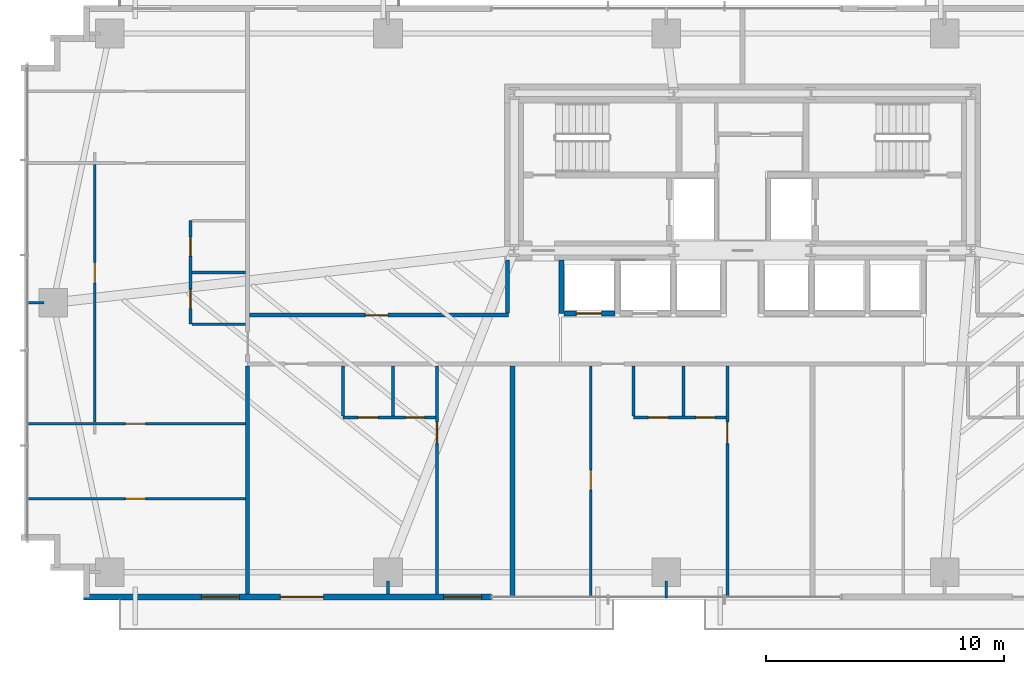
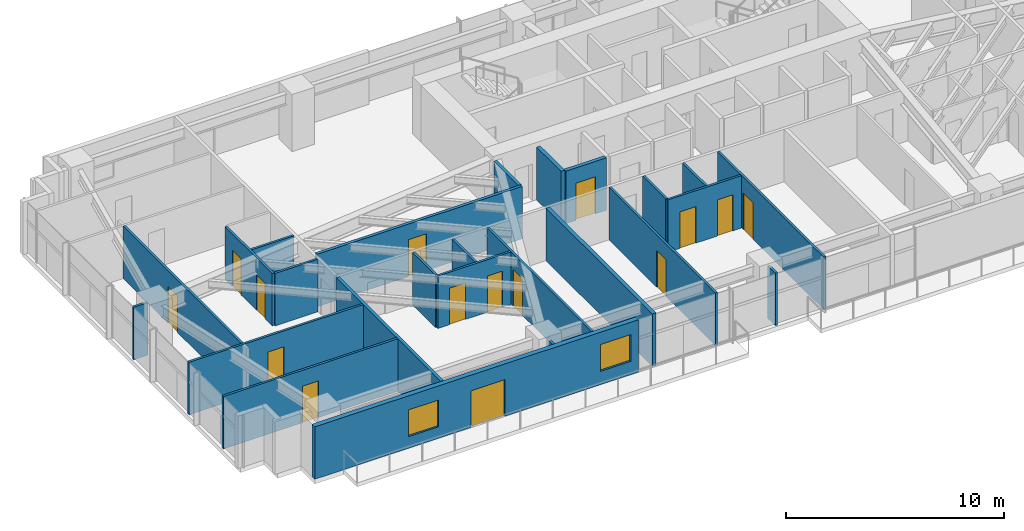
# One storey, part 19 of 25: 25 walls, 15 doors, 2 windows, 17 openings.
"""IFC4 building model written with IfcOpenShell, lengths in metres."""

from ifc_helpers import new_model, si_unit, direction, frame, frame_2d, origin, place, context, subcontext, project, spatial, rectangle, extrude, source, transform, mapped, material, layer, layer_set, type_object, type_shapes, element, fill, save


model = new_model("IFC4")

# Units and contexts
model_context = context("Model", 3, precision=1e-05, world=origin(), true_north=direction((0.0, 1.0)))
body_context = subcontext(model_context, "Body", "Model", "MODEL_VIEW")
ifc_project = project(units=[si_unit("LENGTHUNIT", "METRE"), si_unit("AREAUNIT", "SQUARE_METRE"), si_unit("VOLUMEUNIT", "CUBIC_METRE"), si_unit("PLANEANGLEUNIT", "RADIAN"), si_unit("MASSUNIT", "GRAM", prefix="KILO")], contexts=[model_context])

# Site, building, storey
site_placement = place(None, origin())
site = spatial("IfcSite", under=ifc_project, at=site_placement, CompositionType="ELEMENT")
building_placement = place(site_placement, origin())
building = spatial("IfcBuilding", under=site, at=building_placement, Name="Astriad Promenade Condominiums", CompositionType="ELEMENT")
storey_placement = place(building_placement, frame((0.0, 0.0, 48.60009765625)))
storey = spatial("IfcBuildingStorey", under=building, at=storey_placement, Name="L13", CompositionType="ELEMENT", Elevation=48.60009765625)

# Wall
ifc_material_1 = material(Name="Fire-Rated Gypsum Partition")
ifc_layer_1 = layer(ifc_material_1, 0.159912109375)
ifc_layer_set_1 = layer_set([ifc_layer_1], Name="Fire-Rated Gypsum Partition")
wall_type_1 = type_object("IfcWallType", Name="WALL-CORR-160", PredefinedType="PARTITIONING", material=ifc_layer_set_1)
wall_1_placement = place(storey_placement, frame((15.199951171875, 2.9619140625, 0.0), z_axis=(0.0, 0.0, 1.0), x_axis=(0.0, 1.0, 0.0)))
element("IfcWall", 1, at=wall_1_placement, inside=storey, type_object=wall_type_1, Name="PT-COR-W-L13", PredefinedType="PARTITIONING", context=body_context, shape_type="SweptSolid", body=[
    extrude(rectangle(XDim=9.586181640625, YDim=0.159912109375, at=frame_2d((4.79296875, 0.0))), origin(), (0.0, 0.0, 1.0), 2.93994140625),
])

# Wall, opening, door
wall_2_placement = place(storey_placement, frame((15.281982421875, 14.679931640625, 0.0), z_axis=(0.0, 0.0, 1.0), x_axis=(1.0, 0.0, 0.0)))
wall_2 = element("IfcWall", 2, at=wall_2_placement, inside=storey, type_object=wall_type_1, Name="PT-FLK-NW-L13", PredefinedType="PARTITIONING", context=body_context, shape_type="SweptSolid", body=[
    extrude(rectangle(XDim=10.8779296875, YDim=0.159912109375, at=frame_2d((5.43896484375, 0.0))), origin(), (0.0, 0.0, 1.0), 2.93994140625),
])
opening_1_placement = place(wall_2_placement, frame((4.863037109375, 0.0, 0.0)))
opening_1 = element("IfcOpeningElement", 3, at=opening_1_placement, cuts=wall_2, Name="Opening FD60-APT-095", PredefinedType="OPENING", context=body_context, shape_type="SweptSolid", body=[
    extrude(rectangle(XDim=0.949951171875, YDim=2.06005859375, at=frame_2d((0.47509765625, 1.030029296875))), frame((0.0, 0.08984375, 0.0), z_axis=(0.0, -1.0, 0.0), x_axis=(1.0, 0.0, 0.0)), (0.0, 0.0, 1.0), 0.179931640625),
])
ifc_material_2 = material(Name="Solid-Core Acoustic Timber Residence Entry Door", Category="wood")
door_type_1 = type_object("IfcDoorType", Name="FD60-APT-095", OperationType="NOTDEFINED", PredefinedType="DOOR", material=ifc_material_2)
shared_shape_1 = source(origin(), body_context, "Body", "SweptSolid", [
    extrude(rectangle(XDim=0.949951171875, YDim=2.06005859375, at=frame_2d((0.47509765625, 1.030029296875))), frame((0.0, 0.02490234375, 0.0), z_axis=(0.0, -1.0, 0.0), x_axis=(1.0, 0.0, 0.0)), (0.0, 0.0, 1.0), 0.050048828125),
])
type_shapes(door_type_1, [shared_shape_1])
door_1_placement = place(opening_1_placement, origin())
door_1 = element("IfcDoor", 4, at=door_1_placement, inside=storey, type_object=door_type_1, Name="D-NWA-L13", OperationType="SINGLE_SWING_LEFT", OverallHeight=2.06005859375, OverallWidth=0.949951171875, PredefinedType="DOOR", context=body_context, shape_type="MappedRepresentation", body=[
    mapped(shared_shape_1, transform((0.0, 0.0, 0.0), scale=1.0)),
])
fill(opening_1, door_1)

# Walls
wall_3_placement = place(storey_placement, frame((26.1201171875, 14.761962890625, 0.0), z_axis=(0.0, 0.0, 1.0), x_axis=(0.0, 1.0, 0.0)))
element("IfcWall", 5, at=wall_3_placement, inside=storey, type_object=wall_type_1, Name="PT-WSPUR-W-L13", PredefinedType="PARTITIONING", context=body_context, shape_type="SweptSolid", body=[
    extrude(rectangle(XDim=2.236083984375, YDim=0.159912109375, at=frame_2d((1.1181640625, 0.0))), origin(), (0.0, 0.0, 1.0), 2.93994140625),
])
ifc_material_3 = material(Name="Acoustic Double-Stud Gypsum Partition")
ifc_layer_2 = layer(ifc_material_3, 0.199951171875)
ifc_layer_set_2 = layer_set([ifc_layer_2], Name="Acoustic Double-Stud Gypsum Partition")
wall_type_2 = type_object("IfcWallType", Name="WALL-DEMISING-200", PredefinedType="PARTITIONING", material=ifc_layer_set_2)
wall_4_placement = place(storey_placement, frame((26.330078125, 2.780029296875, 0.0), z_axis=(0.0, 0.0, 1.0), x_axis=(0.0, 1.0, 0.0)))
element("IfcWall", 6, at=wall_4_placement, inside=storey, type_object=wall_type_2, Name="PT-DEM-S1-L13", PredefinedType="PARTITIONING", context=body_context, shape_type="SweptSolid", body=[
    extrude(rectangle(XDim=9.76806640625, YDim=0.199951171875, at=frame_2d((4.884033203125, 0.0))), origin(), (0.0, 0.0, 1.0), 2.93994140625),
])

# Wall, openings, door, windows
ifc_material_4 = material(Name="Precast concrete C50/60", Category="concrete")
ifc_layer_3 = layer(ifc_material_4, 0.260009765625)
ifc_layer_set_3 = layer_set([ifc_layer_3], Name="Precast concrete C50/60")
wall_type_3 = type_object("IfcWallType", Name="WALL-EXT-TWR-260", PredefinedType="STANDARD", material=ifc_layer_set_3)
wall_5_placement = place(storey_placement, frame((25.449951171875, 2.830078125, 0.0), z_axis=(0.0, 0.0, 1.0), x_axis=(-1.0, 0.0, 0.0)))
wall_5 = element("IfcWall", 7, at=wall_5_placement, inside=storey, type_object=wall_type_3, Name="W-EXT-L13-S2", PredefinedType="STANDARD", context=body_context, shape_type="SweptSolid", body=[
    extrude(rectangle(XDim=17.14990234375, YDim=0.260009765625, at=frame_2d((8.574951171875, 0.0))), origin(), (0.0, 0.0, 1.0), 2.93994140625),
])
opening_2_placement = place(wall_5_placement, frame((7.070068359375, 0.0, 0.0)))
opening_2 = element("IfcOpeningElement", 8, at=opening_2_placement, cuts=wall_5, Name="Opening BD-1822-SLD", PredefinedType="OPENING", context=body_context, shape_type="SweptSolid", body=[
    extrude(rectangle(XDim=1.800048828125, YDim=2.06005859375, at=frame_2d((0.89990234375, 1.030029296875))), frame((0.0, 0.139892578125, 0.0), z_axis=(0.0, -1.0, 0.0), x_axis=(1.0, 0.0, 0.0)), (0.0, 0.0, 1.0), 0.280029296875),
])
opening_3_placement = place(wall_5_placement, frame((10.60009765625, 0.0, 0.64990234375)))
opening_3 = element("IfcOpeningElement", 9, at=opening_3_placement, cuts=wall_5, Name="Opening WIN-TWR-1620", PredefinedType="OPENING", context=body_context, shape_type="SweptSolid", body=[
    extrude(rectangle(XDim=1.60009765625, YDim=1.5, at=frame_2d((0.800048828125, 0.75))), frame((0.0, 0.139892578125, 0.0), z_axis=(0.0, -1.0, 0.0), x_axis=(1.0, 0.0, 0.0)), (0.0, 0.0, 1.0), 0.280029296875),
])
opening_4_placement = place(wall_5_placement, frame((0.4130859375, 0.0, 0.75)))
opening_4 = element("IfcOpeningElement", 10, at=opening_4_placement, cuts=wall_5, Name="Opening WIN-TWR-1620", PredefinedType="OPENING", context=body_context, shape_type="SweptSolid", body=[
    extrude(rectangle(XDim=1.60009765625, YDim=1.5, at=frame_2d((0.800048828125, 0.75))), frame((0.0, 0.139892578125, 0.0), z_axis=(0.0, -1.0, 0.0), x_axis=(1.0, 0.0, 0.0)), (0.0, 0.0, 1.0), 0.280029296875),
])
ifc_material_5 = material(Name="Thermally Broken Aluminium Sliding Balcony Door", Category="aluminium")
door_type_2 = type_object("IfcDoorType", Name="BD-1822-SLD", OperationType="NOTDEFINED", PredefinedType="DOOR", material=ifc_material_5)
shared_shape_2 = source(origin(), body_context, "Body", "SweptSolid", [
    extrude(rectangle(XDim=1.800048828125, YDim=2.06005859375, at=frame_2d((0.89990234375, 1.030029296875))), frame((0.0, 0.02490234375, 0.0), z_axis=(0.0, -1.0, 0.0), x_axis=(1.0, 0.0, 0.0)), (0.0, 0.0, 1.0), 0.050048828125),
])
type_shapes(door_type_2, [shared_shape_2])
door_2_placement = place(opening_2_placement, origin())
door_2 = element("IfcDoor", 11, at=door_2_placement, inside=storey, type_object=door_type_2, Name="BD-L13-SW", OperationType="SLIDING_TO_LEFT", OverallHeight=2.06005859375, OverallWidth=1.800048828125, PredefinedType="DOOR", context=body_context, shape_type="MappedRepresentation", body=[
    mapped(shared_shape_2, transform((0.0, 0.0, 0.0), scale=1.0)),
])
fill(opening_2, door_2)
ifc_material_6 = material(Name="Dark Tinted Triple-Glazed Aluminium Window", Category="aluminium")
window_type = type_object("IfcWindowType", Name="WIN-TWR-1620", PartitioningType="SINGLE_PANEL", PredefinedType="WINDOW", material=ifc_material_6)
shared_shape_3 = source(origin(), body_context, "Body", "SweptSolid", [
    extrude(rectangle(XDim=1.60009765625, YDim=1.5, at=frame_2d((0.800048828125, 0.75))), frame((0.0, 0.030029296875, 0.0), z_axis=(0.0, -1.0, 0.0), x_axis=(1.0, 0.0, 0.0)), (0.0, 0.0, 1.0), 0.06005859375),
])
type_shapes(window_type, [shared_shape_3])
window_1_placement = place(opening_3_placement, origin())
window_1 = element("IfcWindow", 12, at=window_1_placement, inside=storey, type_object=window_type, Name="WIN-L13-SW", OverallHeight=1.5, OverallWidth=1.60009765625, PartitioningType="SINGLE_PANEL", PredefinedType="WINDOW", context=body_context, shape_type="MappedRepresentation", body=[
    mapped(shared_shape_3, transform((0.0, 0.0, 0.0), scale=1.0)),
])
fill(opening_3, window_1)
window_2_placement = place(opening_4_placement, origin())
window_2 = element("IfcWindow", 13, at=window_2_placement, inside=storey, type_object=window_type, Name="WIN-DW-L13-S1-BD1", OverallHeight=1.5, OverallWidth=1.60009765625, PartitioningType="SINGLE_PANEL", PredefinedType="WINDOW", context=body_context, shape_type="MappedRepresentation", body=[
    mapped(shared_shape_3, transform((0.0, 0.0, 0.0), scale=1.0)),
])
fill(opening_4, window_2)

# Wall, opening, door
ifc_material_7 = material(Name="Acoustic Metal-Stud Gypsum Partition")
ifc_layer_4 = layer(ifc_material_7, 0.1201171875)
ifc_layer_set_4 = layer_set([ifc_layer_4], Name="Acoustic Metal-Stud Gypsum Partition")
wall_type_4 = type_object("IfcWallType", Name="WALL-PART-120", PredefinedType="PARTITIONING", material=ifc_layer_set_4)
wall_6_placement = place(storey_placement, frame((23.1640625, 2.9619140625, 0.0), z_axis=(0.0, 0.0, 1.0), x_axis=(0.0, 1.0, 0.0)))
wall_6 = element("IfcWall", 14, at=wall_6_placement, inside=storey, type_object=wall_type_4, Name="PT-L13-S1-BD1", PredefinedType="PARTITIONING", context=body_context, shape_type="SweptSolid", body=[
    extrude(rectangle(XDim=9.586181640625, YDim=0.1201171875, at=frame_2d((4.79296875, 0.0))), origin(), (0.0, 0.0, 1.0), 2.93994140625),
])
opening_5_placement = place(wall_6_placement, frame((6.318115234375, 0.0, 0.0)))
opening_5 = element("IfcOpeningElement", 15, at=opening_5_placement, cuts=wall_6, Name="Opening D-INT-090", PredefinedType="OPENING", context=body_context, shape_type="SweptSolid", body=[
    extrude(rectangle(XDim=0.89990234375, YDim=2.050048828125, at=frame_2d((0.449951171875, 1.02490234375))), frame((0.0, 0.070068359375, 0.0), z_axis=(0.0, -1.0, 0.0), x_axis=(1.0, 0.0, 0.0)), (0.0, 0.0, 1.0), 0.14013671875),
])
ifc_material_8 = material(Name="Painted Solid-Core Timber Bedroom Door", Category="wood")
door_type_3 = type_object("IfcDoorType", Name="D-INT-090", OperationType="NOTDEFINED", PredefinedType="DOOR", material=ifc_material_8)
shared_shape_4 = source(origin(), body_context, "Body", "SweptSolid", [
    extrude(rectangle(XDim=0.89990234375, YDim=2.050048828125, at=frame_2d((0.449951171875, 1.02490234375))), frame((0.0, 0.02490234375, 0.0), z_axis=(0.0, -1.0, 0.0), x_axis=(1.0, 0.0, 0.0)), (0.0, 0.0, 1.0), 0.050048828125),
])
type_shapes(door_type_3, [shared_shape_4])
door_3_placement = place(opening_5_placement, origin())
door_3 = element("IfcDoor", 16, at=door_3_placement, inside=storey, type_object=door_type_3, Name="D-BD1-L13-S1", OperationType="SINGLE_SWING_RIGHT", OverallHeight=2.050048828125, OverallWidth=0.89990234375, PredefinedType="DOOR", context=body_context, shape_type="MappedRepresentation", body=[
    mapped(shared_shape_4, transform((0.0, 0.0, 0.0), scale=1.0)),
])
fill(opening_5, door_3)

# Wall, openings, doors
wall_7_placement = place(storey_placement, frame((19.214111328125, 10.3798828125, 0.0), z_axis=(0.0, 0.0, 1.0), x_axis=(1.0, 0.0, 0.0)))
wall_7 = element("IfcWall", 17, at=wall_7_placement, inside=storey, type_object=wall_type_4, Name="PT-L13-S1-PS", PredefinedType="PARTITIONING", context=body_context, shape_type="SweptSolid", body=[
    extrude(rectangle(XDim=3.887939453125, YDim=0.1201171875, at=frame_2d((1.94384765625, 0.0))), origin(), (0.0, 0.0, 1.0), 2.93994140625),
])
opening_6_placement = place(wall_7_placement, frame((0.625, 0.0, 0.0)))
opening_6 = element("IfcOpeningElement", 18, at=opening_6_placement, cuts=wall_7, Name="Opening D-INT-085", PredefinedType="OPENING", context=body_context, shape_type="SweptSolid", body=[
    extrude(rectangle(XDim=0.85009765625, YDim=2.050048828125, at=frame_2d((0.425048828125, 1.02490234375))), frame((0.0, 0.070068359375, 0.0), z_axis=(0.0, -1.0, 0.0), x_axis=(1.0, 0.0, 0.0)), (0.0, 0.0, 1.0), 0.14013671875),
])
opening_7_placement = place(wall_7_placement, frame((2.625, 0.0, 0.0)))
opening_7 = element("IfcOpeningElement", 19, at=opening_7_placement, cuts=wall_7, Name="Opening D-WET-080", PredefinedType="OPENING", context=body_context, shape_type="SweptSolid", body=[
    extrude(rectangle(XDim=0.800048828125, YDim=2.02001953125, at=frame_2d((0.39990234375, 1.010009765625))), frame((0.0, 0.070068359375, 0.0), z_axis=(0.0, -1.0, 0.0), x_axis=(1.0, 0.0, 0.0)), (0.0, 0.0, 1.0), 0.14013671875),
])
ifc_material_9 = material(Name="Moisture-Resistant Timber Bathroom Door", Category="wood")
door_type_4 = type_object("IfcDoorType", Name="D-WET-080", OperationType="NOTDEFINED", PredefinedType="DOOR", material=ifc_material_9)
shared_shape_5 = source(origin(), body_context, "Body", "SweptSolid", [
    extrude(rectangle(XDim=0.800048828125, YDim=2.02001953125, at=frame_2d((0.39990234375, 1.010009765625))), frame((0.0, 0.02490234375, 0.0), z_axis=(0.0, -1.0, 0.0), x_axis=(1.0, 0.0, 0.0)), (0.0, 0.0, 1.0), 0.050048828125),
])
type_shapes(door_type_4, [shared_shape_5])
door_4_placement = place(opening_7_placement, origin())
door_4 = element("IfcDoor", 20, at=door_4_placement, inside=storey, type_object=door_type_4, Name="D-BTH-L13-S1", OperationType="SINGLE_SWING_RIGHT", OverallHeight=2.02001953125, OverallWidth=0.800048828125, PredefinedType="DOOR", context=body_context, shape_type="MappedRepresentation", body=[
    mapped(shared_shape_5, transform((0.0, 0.0, 0.0), scale=1.0)),
])
fill(opening_7, door_4)
ifc_material_10 = material(Name="Painted Solid-Core Timber Room Door", Category="wood")
door_type_5 = type_object("IfcDoorType", Name="D-INT-085", OperationType="NOTDEFINED", PredefinedType="DOOR", material=ifc_material_10)
shared_shape_6 = source(origin(), body_context, "Body", "SweptSolid", [
    extrude(rectangle(XDim=0.85009765625, YDim=2.050048828125, at=frame_2d((0.425048828125, 1.02490234375))), frame((0.0, 0.02490234375, 0.0), z_axis=(0.0, -1.0, 0.0), x_axis=(1.0, 0.0, 0.0)), (0.0, 0.0, 1.0), 0.050048828125),
])
type_shapes(door_type_5, [shared_shape_6])
door_5_placement = place(opening_6_placement, origin())
door_5 = element("IfcDoor", 21, at=door_5_placement, inside=storey, type_object=door_type_5, Name="D-KIT-L13-S1", OperationType="SINGLE_SWING_LEFT", OverallHeight=2.050048828125, OverallWidth=0.85009765625, PredefinedType="DOOR", context=body_context, shape_type="MappedRepresentation", body=[
    mapped(shared_shape_6, transform((0.0, 0.0, 0.0), scale=1.0)),
])
fill(opening_6, door_5)

# Walls
for number, where, z_axis, x_axis, name in (
    (22, (21.31396484375, 10.44189453125, 0.0), (0.0, 0.0, 1.0), (0.0, 1.0, 0.0), "PT-L13-S1-PBK"),
    (23, (19.214111328125, 10.44189453125, 0.0), (0.0, 0.0, 1.0), (0.0, 1.0, 0.0), "PT-L13-S1-PKW"),
):
    element("IfcWall", number, at=place(storey_placement, frame(where, z_axis=z_axis, x_axis=x_axis)), inside=storey, type_object=wall_type_4, Name=name, PredefinedType="PARTITIONING", context=body_context, shape_type="SweptSolid", body=[
        extrude(rectangle(XDim=2.106201171875, YDim=0.1201171875, at=frame_2d((1.05322265625, 0.0))), origin(), (0.0, 0.0, 1.0), 2.93994140625),
    ])

# Wall, opening, door
wall_8_placement = place(storey_placement, frame((35.367919921875, 2.780029296875, 0.0), z_axis=(0.0, 0.0, 1.0), x_axis=(0.0, 1.0, 0.0)))
wall_8 = element("IfcWall", 24, at=wall_8_placement, inside=storey, type_object=wall_type_4, Name="PT-L13-S2-BD1", PredefinedType="PARTITIONING", context=body_context, shape_type="SweptSolid", body=[
    extrude(rectangle(XDim=9.76806640625, YDim=0.1201171875, at=frame_2d((4.884033203125, 0.0))), origin(), (0.0, 0.0, 1.0), 2.93994140625),
])
opening_8_placement = place(wall_8_placement, frame((6.5, 0.0, 0.0)))
opening_8 = element("IfcOpeningElement", 25, at=opening_8_placement, cuts=wall_8, Name="Opening D-INT-090", PredefinedType="OPENING", context=body_context, shape_type="SweptSolid", body=[
    extrude(rectangle(XDim=0.89990234375, YDim=2.050048828125, at=frame_2d((0.449951171875, 1.02490234375))), frame((0.0, 0.070068359375, 0.0), z_axis=(0.0, -1.0, 0.0), x_axis=(1.0, 0.0, 0.0)), (0.0, 0.0, 1.0), 0.14013671875),
])
door_6_placement = place(opening_8_placement, origin())
door_6 = element("IfcDoor", 26, at=door_6_placement, inside=storey, type_object=door_type_3, Name="D-BD1-L13-S2", OperationType="SINGLE_SWING_LEFT", OverallHeight=2.050048828125, OverallWidth=0.89990234375, PredefinedType="DOOR", context=body_context, shape_type="MappedRepresentation", body=[
    mapped(shared_shape_4, transform((0.0, 0.0, 0.0), scale=1.0)),
])
fill(opening_8, door_6)

# Wall, openings, doors
wall_9_placement = place(storey_placement, frame((31.41796875, 10.3798828125, 0.0), z_axis=(0.0, 0.0, 1.0), x_axis=(1.0, 0.0, 0.0)))
wall_9 = element("IfcWall", 27, at=wall_9_placement, inside=storey, type_object=wall_type_4, Name="PT-L13-S2-PS", PredefinedType="PARTITIONING", context=body_context, shape_type="SweptSolid", body=[
    extrude(rectangle(XDim=3.887939453125, YDim=0.1201171875, at=frame_2d((1.94384765625, 0.0))), origin(), (0.0, 0.0, 1.0), 2.93994140625),
])
opening_9_placement = place(wall_9_placement, frame((0.625, 0.0, 0.0)))
opening_9 = element("IfcOpeningElement", 28, at=opening_9_placement, cuts=wall_9, Name="Opening D-INT-085", PredefinedType="OPENING", context=body_context, shape_type="SweptSolid", body=[
    extrude(rectangle(XDim=0.85009765625, YDim=2.050048828125, at=frame_2d((0.425048828125, 1.02490234375))), frame((0.0, 0.070068359375, 0.0), z_axis=(0.0, -1.0, 0.0), x_axis=(1.0, 0.0, 0.0)), (0.0, 0.0, 1.0), 0.14013671875),
])
opening_10_placement = place(wall_9_placement, frame((2.625, 0.0, 0.0)))
opening_10 = element("IfcOpeningElement", 29, at=opening_10_placement, cuts=wall_9, Name="Opening D-WET-080", PredefinedType="OPENING", context=body_context, shape_type="SweptSolid", body=[
    extrude(rectangle(XDim=0.800048828125, YDim=2.02001953125, at=frame_2d((0.39990234375, 1.010009765625))), frame((0.0, 0.070068359375, 0.0), z_axis=(0.0, -1.0, 0.0), x_axis=(1.0, 0.0, 0.0)), (0.0, 0.0, 1.0), 0.14013671875),
])
door_7_placement = place(opening_10_placement, origin())
door_7 = element("IfcDoor", 30, at=door_7_placement, inside=storey, type_object=door_type_4, Name="D-BTH-L13-S2", OperationType="SINGLE_SWING_LEFT", OverallHeight=2.02001953125, OverallWidth=0.800048828125, PredefinedType="DOOR", context=body_context, shape_type="MappedRepresentation", body=[
    mapped(shared_shape_5, transform((0.0, 0.0, 0.0), scale=1.0)),
])
fill(opening_10, door_7)
door_8_placement = place(opening_9_placement, origin())
door_8 = element("IfcDoor", 31, at=door_8_placement, inside=storey, type_object=door_type_5, Name="D-KIT-L13-S2", OperationType="SINGLE_SWING_RIGHT", OverallHeight=2.050048828125, OverallWidth=0.85009765625, PredefinedType="DOOR", context=body_context, shape_type="MappedRepresentation", body=[
    mapped(shared_shape_6, transform((0.0, 0.0, 0.0), scale=1.0)),
])
fill(opening_9, door_8)

# Walls
for number, where, z_axis, x_axis, name in (
    (32, (33.51806640625, 10.44189453125, 0.0), (0.0, 0.0, 1.0), (0.0, 1.0, 0.0), "PT-L13-S2-PBK"),
    (33, (31.41796875, 10.44189453125, 0.0), (0.0, 0.0, 1.0), (0.0, 1.0, 0.0), "PT-L13-S2-PKW"),
):
    element("IfcWall", number, at=place(storey_placement, frame(where, z_axis=z_axis, x_axis=x_axis)), inside=storey, type_object=wall_type_4, Name=name, PredefinedType="PARTITIONING", context=body_context, shape_type="SweptSolid", body=[
        extrude(rectangle(XDim=2.106201171875, YDim=0.1201171875, at=frame_2d((1.05322265625, 0.0))), origin(), (0.0, 0.0, 1.0), 2.93994140625),
    ])

# Wall, opening, door
wall_10_placement = place(storey_placement, frame((29.6259765625, 2.780029296875, 0.0), z_axis=(0.0, 0.0, 1.0), x_axis=(0.0, 1.0, 0.0)))
wall_10 = element("IfcWall", 34, at=wall_10_placement, inside=storey, type_object=wall_type_4, Name="PT-L13-S2-CAP1", PredefinedType="PARTITIONING", context=body_context, shape_type="SweptSolid", body=[
    extrude(rectangle(XDim=9.76806640625, YDim=0.1201171875, at=frame_2d((4.884033203125, 0.0))), origin(), (0.0, 0.0, 1.0), 2.93994140625),
])
opening_11_placement = place(wall_10_placement, frame((4.5400390625, 0.0, 0.0)))
opening_11 = element("IfcOpeningElement", 35, at=opening_11_placement, cuts=wall_10, Name="Opening D-INT-085", PredefinedType="OPENING", context=body_context, shape_type="SweptSolid", body=[
    extrude(rectangle(XDim=0.85009765625, YDim=2.050048828125, at=frame_2d((0.425048828125, 1.02490234375))), frame((0.0, 0.070068359375, 0.0), z_axis=(0.0, -1.0, 0.0), x_axis=(1.0, 0.0, 0.0)), (0.0, 0.0, 1.0), 0.14013671875),
])
door_9_placement = place(opening_11_placement, origin())
door_9 = element("IfcDoor", 36, at=door_9_placement, inside=storey, type_object=door_type_5, Name="D-CAP1-L13-S2", OperationType="SINGLE_SWING_LEFT", OverallHeight=2.050048828125, OverallWidth=0.85009765625, PredefinedType="DOOR", context=body_context, shape_type="MappedRepresentation", body=[
    mapped(shared_shape_6, transform((0.0, 0.0, 0.0), scale=1.0)),
])
fill(opening_11, door_9)

# Wall, openings, doors
wall_11_placement = place(storey_placement, frame((12.800048828125, 14.299072265625, 0.0), z_axis=(0.0, 0.0, 1.0), x_axis=(0.0, 1.0, 0.0)))
wall_11 = element("IfcWall", 37, at=wall_11_placement, inside=storey, type_object=wall_type_4, Name="PT-L13-W1-PV", PredefinedType="PARTITIONING", context=body_context, shape_type="SweptSolid", body=[
    extrude(rectangle(XDim=4.349853515625, YDim=0.1201171875, at=frame_2d((2.1748046875, 0.0))), origin(), (0.0, 0.0, 1.0), 2.93994140625),
])
opening_12_placement = place(wall_11_placement, frame((0.662109375, 0.0, 0.0)))
opening_12 = element("IfcOpeningElement", 38, at=opening_12_placement, cuts=wall_11, Name="Opening D-ULOW-080", PredefinedType="OPENING", context=body_context, shape_type="SweptSolid", body=[
    extrude(rectangle(XDim=0.800048828125, YDim=2.0, at=frame_2d((0.39990234375, 1.0))), frame((0.0, 0.070068359375, 0.0), z_axis=(0.0, -1.0, 0.0), x_axis=(1.0, 0.0, 0.0)), (0.0, 0.0, 1.0), 0.14013671875),
])
opening_13_placement = place(wall_11_placement, frame((2.863037109375, 0.0, 0.0)))
opening_13 = element("IfcOpeningElement", 39, at=opening_13_placement, cuts=wall_11, Name="Opening D-WET-080", PredefinedType="OPENING", context=body_context, shape_type="SweptSolid", body=[
    extrude(rectangle(XDim=0.800048828125, YDim=2.02001953125, at=frame_2d((0.39990234375, 1.010009765625))), frame((0.0, 0.070068359375, 0.0), z_axis=(0.0, -1.0, 0.0), x_axis=(1.0, 0.0, 0.0)), (0.0, 0.0, 1.0), 0.14013671875),
])
door_10_placement = place(opening_13_placement, origin())
door_10 = element("IfcDoor", 40, at=door_10_placement, inside=storey, type_object=door_type_4, Name="D-BTH-L13-W1", OperationType="SINGLE_SWING_LEFT", OverallHeight=2.02001953125, OverallWidth=0.800048828125, PredefinedType="DOOR", context=body_context, shape_type="MappedRepresentation", body=[
    mapped(shared_shape_5, transform((0.0, 0.0, 0.0), scale=1.0)),
])
fill(opening_13, door_10)
ifc_material_11 = material(Name="Painted Timber Low-Headroom Door", Category="wood")
door_type_6 = type_object("IfcDoorType", Name="D-ULOW-080", OperationType="NOTDEFINED", PredefinedType="DOOR", material=ifc_material_11)
shared_shape_7 = source(origin(), body_context, "Body", "SweptSolid", [
    extrude(rectangle(XDim=0.800048828125, YDim=2.0, at=frame_2d((0.39990234375, 1.0))), frame((0.0, 0.02490234375, 0.0), z_axis=(0.0, -1.0, 0.0), x_axis=(1.0, 0.0, 0.0)), (0.0, 0.0, 1.0), 0.050048828125),
])
type_shapes(door_type_6, [shared_shape_7])
door_11_placement = place(opening_12_placement, origin())
door_11 = element("IfcDoor", 41, at=door_11_placement, inside=storey, type_object=door_type_6, Name="D-KIT-L13-W1", OperationType="SINGLE_SWING_RIGHT", OverallHeight=2.0, OverallWidth=0.800048828125, PredefinedType="DOOR", context=body_context, shape_type="MappedRepresentation", body=[
    mapped(shared_shape_7, transform((0.0, 0.0, 0.0), scale=1.0)),
])
fill(opening_12, door_11)

# Walls
for number, where, z_axis, x_axis, name in (
    (42, (12.862060546875, 16.47412109375, 0.0), (0.0, 0.0, 1.0), (1.0, 0.0, 0.0), "PT-L13-W1-PM"),
    (43, (12.862060546875, 14.299072265625, 0.0), (0.0, 0.0, 1.0), (1.0, 0.0, 0.0), "PT-L13-W1-PS"),
):
    element("IfcWall", number, at=place(storey_placement, frame(where, z_axis=z_axis, x_axis=x_axis)), inside=storey, type_object=wall_type_4, Name=name, PredefinedType="PARTITIONING", context=body_context, shape_type="SweptSolid", body=[
        extrude(rectangle(XDim=2.255859375, YDim=0.1201171875, at=frame_2d((1.1279296875, 0.0))), origin(), (0.0, 0.0, 1.0), 2.93994140625),
    ])

# Wall, opening, door
wall_12_placement = place(storey_placement, frame((5.8798828125, 6.9599609375, 0.0), z_axis=(0.0, 0.0, 1.0), x_axis=(1.0, 0.0, 0.0)))
wall_12 = element("IfcWall", 44, at=wall_12_placement, inside=storey, type_object=wall_type_4, Name="PT-L13-W1-WDS1", PredefinedType="PARTITIONING", context=body_context, shape_type="SweptSolid", body=[
    extrude(rectangle(XDim=9.238037109375, YDim=0.1201171875, at=frame_2d((4.619140625, 0.0))), origin(), (0.0, 0.0, 1.0), 2.93994140625),
])
opening_14_placement = place(wall_12_placement, frame((4.18505859375, 0.0, 0.0)))
opening_14 = element("IfcOpeningElement", 45, at=opening_14_placement, cuts=wall_12, Name="Opening D-INT-085", PredefinedType="OPENING", context=body_context, shape_type="SweptSolid", body=[
    extrude(rectangle(XDim=0.85009765625, YDim=2.050048828125, at=frame_2d((0.425048828125, 1.02490234375))), frame((0.0, 0.070068359375, 0.0), z_axis=(0.0, -1.0, 0.0), x_axis=(1.0, 0.0, 0.0)), (0.0, 0.0, 1.0), 0.14013671875),
])
door_12_placement = place(opening_14_placement, origin())
door_12 = element("IfcDoor", 46, at=door_12_placement, inside=storey, type_object=door_type_5, Name="D-WDS1-L13-W1", OperationType="SINGLE_SWING_LEFT", OverallHeight=2.050048828125, OverallWidth=0.85009765625, PredefinedType="DOOR", context=body_context, shape_type="MappedRepresentation", body=[
    mapped(shared_shape_6, transform((0.0, 0.0, 0.0), scale=1.0)),
])
fill(opening_14, door_12)

wall_13_placement = place(storey_placement, frame((5.8798828125, 10.115966796875, 0.0), z_axis=(0.0, 0.0, 1.0), x_axis=(1.0, 0.0, 0.0)))
wall_13 = element("IfcWall", 47, at=wall_13_placement, inside=storey, type_object=wall_type_4, Name="PT-L13-W1-WDS2", PredefinedType="PARTITIONING", context=body_context, shape_type="SweptSolid", body=[
    extrude(rectangle(XDim=9.238037109375, YDim=0.1201171875, at=frame_2d((4.619140625, 0.0))), origin(), (0.0, 0.0, 1.0), 2.93994140625),
])
opening_15_placement = place(wall_13_placement, frame((4.18505859375, 0.0, 0.0)))
opening_15 = element("IfcOpeningElement", 48, at=opening_15_placement, cuts=wall_13, Name="Opening D-INT-085", PredefinedType="OPENING", context=body_context, shape_type="SweptSolid", body=[
    extrude(rectangle(XDim=0.85009765625, YDim=2.050048828125, at=frame_2d((0.425048828125, 1.02490234375))), frame((0.0, 0.070068359375, 0.0), z_axis=(0.0, -1.0, 0.0), x_axis=(1.0, 0.0, 0.0)), (0.0, 0.0, 1.0), 0.14013671875),
])
door_13_placement = place(opening_15_placement, origin())
door_13 = element("IfcDoor", 49, at=door_13_placement, inside=storey, type_object=door_type_5, Name="D-WDS2-L13-W1", OperationType="SINGLE_SWING_RIGHT", OverallHeight=2.050048828125, OverallWidth=0.85009765625, PredefinedType="DOOR", context=body_context, shape_type="MappedRepresentation", body=[
    mapped(shared_shape_6, transform((0.0, 0.0, 0.0), scale=1.0)),
])
fill(opening_15, door_13)

wall_14_placement = place(storey_placement, frame((8.77490234375, 10.177978515625, 0.0), z_axis=(0.0, 0.0, 1.0), x_axis=(0.0, 1.0, 0.0)))
wall_14 = element("IfcWall", 50, at=wall_14_placement, inside=storey, type_object=wall_type_4, Name="PT-L13-W1-WDV4-S2", PredefinedType="PARTITIONING", context=body_context, shape_type="SweptSolid", body=[
    extrude(rectangle(XDim=10.830078125, YDim=0.1201171875, at=frame_2d((5.4150390625, 0.0))), origin(), (0.0, 0.0, 1.0), 2.93994140625),
])
opening_16_placement = place(wall_14_placement, frame((5.860107421875, 0.0, 0.0)))
opening_16 = element("IfcOpeningElement", 51, at=opening_16_placement, cuts=wall_14, Name="Opening D-INT-085", PredefinedType="OPENING", context=body_context, shape_type="SweptSolid", body=[
    extrude(rectangle(XDim=0.85009765625, YDim=2.050048828125, at=frame_2d((0.425048828125, 1.02490234375))), frame((0.0, 0.070068359375, 0.0), z_axis=(0.0, -1.0, 0.0), x_axis=(1.0, 0.0, 0.0)), (0.0, 0.0, 1.0), 0.14013671875),
])
door_14_placement = place(opening_16_placement, origin())
door_14 = element("IfcDoor", 52, at=door_14_placement, inside=storey, type_object=door_type_5, Name="D-WDV4-L13-W1", OperationType="SINGLE_SWING_RIGHT", OverallHeight=2.050048828125, OverallWidth=0.85009765625, PredefinedType="DOOR", context=body_context, shape_type="MappedRepresentation", body=[
    mapped(shared_shape_6, transform((0.0, 0.0, 0.0), scale=1.0)),
])
fill(opening_16, door_14)

# Walls
wall_15_placement = place(storey_placement, frame((21.10009765625, 3.5, 0.0), z_axis=(0.0, 0.0, 1.0), x_axis=(0.0, -1.0, 0.0)))
element("IfcWall", 53, at=wall_15_placement, inside=storey, type_object=wall_type_4, Name="PT-PIL-L13-PC02-9", PredefinedType="PARTITIONING", context=body_context, shape_type="SweptSolid", body=[
    extrude(rectangle(XDim=0.5380859375, YDim=0.1201171875, at=frame_2d((0.26904296875, 0.0))), origin(), (0.0, 0.0, 1.0), 2.93994140625),
])
wall_16_placement = place(storey_placement, frame((32.800048828125, 3.5, 0.0), z_axis=(0.0, 0.0, 1.0), x_axis=(0.0, -1.0, 0.0)))
element("IfcWall", 54, at=wall_16_placement, inside=storey, type_object=wall_type_4, Name="PT-PIL-L13-PC03-10", PredefinedType="PARTITIONING", context=body_context, shape_type="SweptSolid", body=[
    extrude(rectangle(XDim=0.719970703125, YDim=0.1201171875, at=frame_2d((0.35986328125, 0.0))), origin(), (0.0, 0.0, 1.0), 2.93994140625),
])
wall_17_placement = place(storey_placement, frame((6.639892578125, 15.199951171875, 0.0), z_axis=(0.0, 0.0, 1.0), x_axis=(-1.0, 0.0, 0.0)))
element("IfcWall", 55, at=wall_17_placement, inside=storey, type_object=wall_type_4, Name="PT-PIL-L13-PC11-18", PredefinedType="PARTITIONING", context=body_context, shape_type="SweptSolid", body=[
    extrude(rectangle(XDim=0.760009765625, YDim=0.1201171875, at=frame_2d((0.3798828125, 0.0))), origin(), (0.0, 0.0, 1.0), 2.93994140625),
])
ifc_material_12 = material(Name="Gypsum Shaftliner Assembly")
ifc_layer_5 = layer(ifc_material_12, 0.199951171875)
ifc_layer_set_5 = layer_set([ifc_layer_5], Name="Gypsum Shaftliner Assembly")
wall_type_5 = type_object("IfcWallType", Name="WALL-SHAFT-200", PredefinedType="PARTITIONING", material=ifc_layer_set_5)
wall_18_placement = place(storey_placement, frame((28.39990234375, 14.75, 0.0), z_axis=(0.0, 0.0, 1.0), x_axis=(0.0, 1.0, 0.0)))
element("IfcWall", 56, at=wall_18_placement, inside=storey, type_object=wall_type_5, Name="PL-W-OUT-L13", PredefinedType="PARTITIONING", context=body_context, shape_type="SweptSolid", body=[
    extrude(rectangle(XDim=2.248046875, YDim=0.199951171875, at=frame_2d((1.1240234375, 0.0))), origin(), (0.0, 0.0, 1.0), 2.93994140625),
])

# Wall, opening, door
wall_19_placement = place(storey_placement, frame((28.501953125, 14.75, 0.0), z_axis=(0.0, 0.0, 1.0), x_axis=(1.0, 0.0, 0.0)))
wall_19 = element("IfcWall", 57, at=wall_19_placement, inside=storey, type_object=wall_type_5, Name="PL-L-FRT-L13", PredefinedType="PARTITIONING", context=body_context, shape_type="SweptSolid", body=[
    extrude(rectangle(XDim=2.14599609375, YDim=0.199951171875, at=frame_2d((1.072998046875, 0.0))), origin(), (0.0, 0.0, 1.0), 2.93994140625),
])
opening_17_placement = place(wall_19_placement, frame((0.52294921875, 0.0, 0.0)))
opening_17 = element("IfcOpeningElement", 58, at=opening_17_placement, cuts=wall_19, Name="Opening LD-PL-10522", PredefinedType="OPENING", context=body_context, shape_type="SweptSolid", body=[
    extrude(rectangle(XDim=1.050048828125, YDim=2.080078125, at=frame_2d((0.52490234375, 1.0400390625))), frame((0.0, 0.10986328125, 0.0), z_axis=(0.0, -1.0, 0.0), x_axis=(1.0, 0.0, 0.0)), (0.0, 0.0, 1.0), 0.219970703125),
])
ifc_material_13 = material(Name="Brushed Bronze Passenger Elevator Landing Door")
door_type_7 = type_object("IfcDoorType", Name="LD-PL-10522", OperationType="NOTDEFINED", PredefinedType="DOOR", material=ifc_material_13)
shared_shape_8 = source(origin(), body_context, "Body", "SweptSolid", [
    extrude(rectangle(XDim=1.050048828125, YDim=2.080078125, at=frame_2d((0.52490234375, 1.0400390625))), frame((0.0, 0.02490234375, 0.0), z_axis=(0.0, -1.0, 0.0), x_axis=(1.0, 0.0, 0.0)), (0.0, 0.0, 1.0), 0.050048828125),
])
type_shapes(door_type_7, [shared_shape_8])
door_15_placement = place(opening_17_placement, origin())
door_15 = element("IfcDoor", 59, at=door_15_placement, inside=storey, type_object=door_type_7, Name="Elevator Landing Door PL-L1 (L13)", OperationType="SLIDING_TO_LEFT", OverallHeight=2.080078125, OverallWidth=1.050048828125, PredefinedType="DOOR", context=body_context, shape_type="MappedRepresentation", body=[
    mapped(shared_shape_8, transform((0.0, 0.0, 0.0), scale=1.0)),
])
fill(opening_17, door_15)

save(model, "model.ifc")
